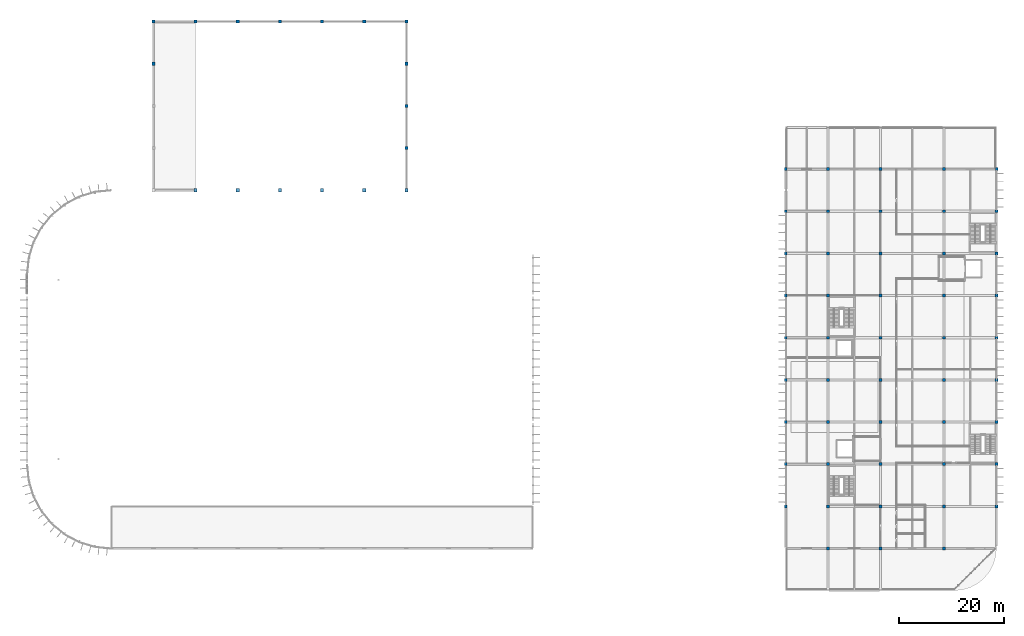
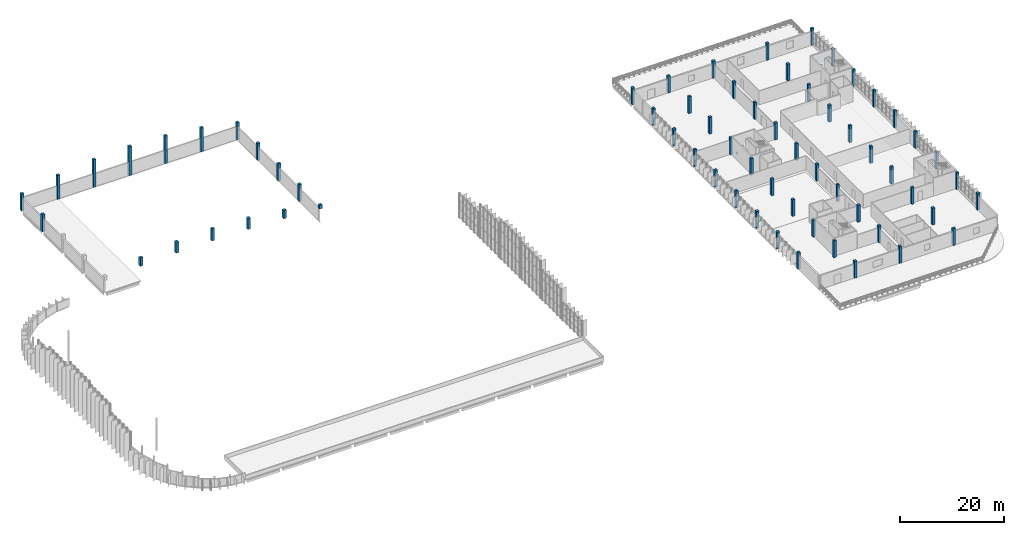
# One storey, part 3 of 38: 65 columns.
"""IFC4 building model written with IfcOpenShell, lengths in metres."""

from ifc_helpers import new_model, si_unit, direction, frame, origin, origin_2d, place, context, subcontext, project, spatial, rectangle, extrude, material, material_profile, profile_set, type_object, element, save


model = new_model("IFC4")

# Units and contexts
model_context = context("Model", 3, precision=1e-05, world=origin(), true_north=direction((0.0, 1.0)))
body_context = subcontext(model_context, "Body", "Model", "MODEL_VIEW")
ifc_project = project(units=[si_unit("LENGTHUNIT", "METRE"), si_unit("AREAUNIT", "SQUARE_METRE"), si_unit("VOLUMEUNIT", "CUBIC_METRE"), si_unit("PLANEANGLEUNIT", "RADIAN"), si_unit("MASSUNIT", "GRAM", prefix="KILO")], contexts=[model_context])

# Site, building, storey
site_placement = place(None, origin())
site = spatial("IfcSite", under=ifc_project, at=site_placement, CompositionType="ELEMENT")
building_placement = place(site_placement, origin())
building = spatial("IfcBuilding", under=site, at=building_placement, Name="Drelvana Railside Aquatics Centre", CompositionType="ELEMENT")
storey_placement = place(building_placement, frame((0.0, 0.0, 14.39990234375)))
storey = spatial("IfcBuildingStorey", under=building, at=storey_placement, Name="L03", CompositionType="ELEMENT", Elevation=14.39990234375)

# Columns
ifc_material = material(Name="Concrete C40/50", Category="concrete")
ifc_material_profile_1 = material_profile(ifc_material, rectangle(XDim=0.550048828125, YDim=0.550048828125, at=origin_2d()), Name="RC 550x550")
ifc_profile_set_1 = profile_set([ifc_material_profile_1], Name="Concrete C40/50")
column_type_1 = type_object("IfcColumnType", Name="STR-COL-RC-550x550", PredefinedType="COLUMN", material=ifc_profile_set_1)
for number, where, z_axis, x_axis, name in (
    (1, (152.0, 16.0, 0.0), (0.0, 0.0, 1.0), (1.0, 0.0, 0.0), "Column C-03 (L03)"),
    (2, (162.0, 16.0, 0.0), (0.0, 0.0, 1.0), (1.0, 0.0, 0.0), "Column C-03 (L03)"),
    (3, (174.0, 16.0, 0.0), (0.0, 0.0, 1.0), (1.0, 0.0, 0.0), "Column C-03 (L03)"),
):
    element("IfcColumn", number, at=place(storey_placement, frame(where, z_axis=z_axis, x_axis=x_axis)), inside=storey, type_object=column_type_1, Name=name, PredefinedType="COLUMN", context=body_context, shape_type="SweptSolid", body=[
        extrude(rectangle(XDim=0.550048828125, YDim=0.550048828125, at=origin_2d()), origin(), (0.0, 0.0, 1.0), 3.985107421875),
    ])
for number, where, z_axis, x_axis, name in (
    (4, (152.0, 24.0, 0.0), (0.0, 0.0, 1.0), (1.0, 0.0, 0.0), "Column C-03 (L03)"),
    (5, (162.0, 24.0, 0.0), (0.0, 0.0, 1.0), (1.0, 0.0, 0.0), "Column C-03 (L03)"),
    (6, (174.0, 24.0, 0.0), (0.0, 0.0, 1.0), (1.0, 0.0, 0.0), "Column C-03 (L03)"),
    (7, (184.0, 24.0, 0.0), (0.0, 0.0, 1.0), (1.0, 0.0, 0.0), "Column C-03 (L03)"),
):
    element("IfcColumn", number, at=place(storey_placement, frame(where, z_axis=z_axis, x_axis=x_axis)), inside=storey, type_object=column_type_1, Name=name, PredefinedType="COLUMN", context=body_context, shape_type="SweptSolid", body=[
        extrude(rectangle(XDim=0.550048828125, YDim=0.550048828125, at=origin_2d()), origin(), (0.0, 0.0, 1.0), 3.97509765625),
    ])
column_1_placement = place(storey_placement, frame((144.0, 32.0, 0.0), z_axis=(0.0, 0.0, 1.0), x_axis=(1.0, 0.0, 0.0)))
element("IfcColumn", 8, at=column_1_placement, inside=storey, type_object=column_type_1, Name="Column C-03 (L03)", PredefinedType="COLUMN", context=body_context, shape_type="SweptSolid", body=[
    extrude(rectangle(XDim=0.550048828125, YDim=0.550048828125, at=origin_2d()), origin(), (0.0, 0.0, 1.0), 3.989990234375),
])
for number, where, z_axis, x_axis, name in (
    (9, (152.0, 32.0, 0.0), (0.0, 0.0, 1.0), (1.0, 0.0, 0.0), "Column C-03 (L03)"),
    (10, (162.0, 32.0, 0.0), (0.0, 0.0, 1.0), (1.0, 0.0, 0.0), "Column C-03 (L03)"),
    (11, (174.0, 32.0, 0.0), (0.0, 0.0, 1.0), (1.0, 0.0, 0.0), "Column C-03 (L03)"),
    (12, (184.0, 32.0, 0.0), (0.0, 0.0, 1.0), (1.0, 0.0, 0.0), "Column C-03 (L03)"),
):
    element("IfcColumn", number, at=place(storey_placement, frame(where, z_axis=z_axis, x_axis=x_axis)), inside=storey, type_object=column_type_1, Name=name, PredefinedType="COLUMN", context=body_context, shape_type="SweptSolid", body=[
        extrude(rectangle(XDim=0.550048828125, YDim=0.550048828125, at=origin_2d()), origin(), (0.0, 0.0, 1.0), 3.97509765625),
    ])
column_2_placement = place(storey_placement, frame((144.0, 40.0, 0.0), z_axis=(0.0, 0.0, 1.0), x_axis=(1.0, 0.0, 0.0)))
element("IfcColumn", 13, at=column_2_placement, inside=storey, type_object=column_type_1, Name="Column C-03 (L03)", PredefinedType="COLUMN", context=body_context, shape_type="SweptSolid", body=[
    extrude(rectangle(XDim=0.550048828125, YDim=0.550048828125, at=origin_2d()), origin(), (0.0, 0.0, 1.0), 3.989990234375),
])
for number, where, z_axis, x_axis, name in (
    (14, (152.0, 40.0, 0.0), (0.0, 0.0, 1.0), (1.0, 0.0, 0.0), "Column C-03 (L03)"),
    (15, (162.0, 40.0, 0.0), (0.0, 0.0, 1.0), (1.0, 0.0, 0.0), "Column C-03 (L03)"),
    (16, (174.0, 40.0, 0.0), (0.0, 0.0, 1.0), (1.0, 0.0, 0.0), "Column C-03 (L03)"),
    (17, (184.0, 40.0, 0.0), (0.0, 0.0, 1.0), (1.0, 0.0, 0.0), "Column C-03 (L03)"),
):
    element("IfcColumn", number, at=place(storey_placement, frame(where, z_axis=z_axis, x_axis=x_axis)), inside=storey, type_object=column_type_1, Name=name, PredefinedType="COLUMN", context=body_context, shape_type="SweptSolid", body=[
        extrude(rectangle(XDim=0.550048828125, YDim=0.550048828125, at=origin_2d()), origin(), (0.0, 0.0, 1.0), 3.97509765625),
    ])
column_3_placement = place(storey_placement, frame((144.0, 48.0, 0.0), z_axis=(0.0, 0.0, 1.0), x_axis=(1.0, 0.0, 0.0)))
element("IfcColumn", 18, at=column_3_placement, inside=storey, type_object=column_type_1, Name="Column C-03 (L03)", PredefinedType="COLUMN", context=body_context, shape_type="SweptSolid", body=[
    extrude(rectangle(XDim=0.550048828125, YDim=0.550048828125, at=origin_2d()), origin(), (0.0, 0.0, 1.0), 3.989990234375),
])
for number, where, z_axis, x_axis, name in (
    (19, (152.0, 48.0, 0.0), (0.0, 0.0, 1.0), (1.0, 0.0, 0.0), "Column C-03 (L03)"),
    (20, (162.0, 48.0, 0.0), (0.0, 0.0, 1.0), (1.0, 0.0, 0.0), "Column C-03 (L03)"),
    (21, (174.0, 48.0, 0.0), (0.0, 0.0, 1.0), (1.0, 0.0, 0.0), "Column C-03 (L03)"),
    (22, (184.0, 48.0, 0.0), (0.0, 0.0, 1.0), (1.0, 0.0, 0.0), "Column C-03 (L03)"),
):
    element("IfcColumn", number, at=place(storey_placement, frame(where, z_axis=z_axis, x_axis=x_axis)), inside=storey, type_object=column_type_1, Name=name, PredefinedType="COLUMN", context=body_context, shape_type="SweptSolid", body=[
        extrude(rectangle(XDim=0.550048828125, YDim=0.550048828125, at=origin_2d()), origin(), (0.0, 0.0, 1.0), 3.97509765625),
    ])
column_4_placement = place(storey_placement, frame((144.0, 56.0, 0.0), z_axis=(0.0, 0.0, 1.0), x_axis=(1.0, 0.0, 0.0)))
element("IfcColumn", 23, at=column_4_placement, inside=storey, type_object=column_type_1, Name="Column C-03 (L03)", PredefinedType="COLUMN", context=body_context, shape_type="SweptSolid", body=[
    extrude(rectangle(XDim=0.550048828125, YDim=0.550048828125, at=origin_2d()), origin(), (0.0, 0.0, 1.0), 3.989990234375),
])
for number, where, z_axis, x_axis, name in (
    (24, (152.0, 56.0, 0.0), (0.0, 0.0, 1.0), (1.0, 0.0, 0.0), "Column C-03 (L03)"),
    (25, (162.0, 56.0, 0.0), (0.0, 0.0, 1.0), (1.0, 0.0, 0.0), "Column C-03 (L03)"),
    (26, (174.0, 56.0, 0.0), (0.0, 0.0, 1.0), (1.0, 0.0, 0.0), "Column C-03 (L03)"),
    (27, (184.0, 56.0, 0.0), (0.0, 0.0, 1.0), (1.0, 0.0, 0.0), "Column C-03 (L03)"),
):
    element("IfcColumn", number, at=place(storey_placement, frame(where, z_axis=z_axis, x_axis=x_axis)), inside=storey, type_object=column_type_1, Name=name, PredefinedType="COLUMN", context=body_context, shape_type="SweptSolid", body=[
        extrude(rectangle(XDim=0.550048828125, YDim=0.550048828125, at=origin_2d()), origin(), (0.0, 0.0, 1.0), 3.97509765625),
    ])
column_5_placement = place(storey_placement, frame((144.0, 64.0, 0.0), z_axis=(0.0, 0.0, 1.0), x_axis=(1.0, 0.0, 0.0)))
element("IfcColumn", 28, at=column_5_placement, inside=storey, type_object=column_type_1, Name="Column C-03 (L03)", PredefinedType="COLUMN", context=body_context, shape_type="SweptSolid", body=[
    extrude(rectangle(XDim=0.550048828125, YDim=0.550048828125, at=origin_2d()), origin(), (0.0, 0.0, 1.0), 3.989990234375),
])
for number, where, z_axis, x_axis, name in (
    (29, (152.0, 64.0, 0.0), (0.0, 0.0, 1.0), (1.0, 0.0, 0.0), "Column C-03 (L03)"),
    (30, (162.0, 64.0, 0.0), (0.0, 0.0, 1.0), (1.0, 0.0, 0.0), "Column C-03 (L03)"),
    (31, (174.0, 64.0, 0.0), (0.0, 0.0, 1.0), (1.0, 0.0, 0.0), "Column C-03 (L03)"),
    (32, (184.0, 64.0, 0.0), (0.0, 0.0, 1.0), (1.0, 0.0, 0.0), "Column C-03 (L03)"),
):
    element("IfcColumn", number, at=place(storey_placement, frame(where, z_axis=z_axis, x_axis=x_axis)), inside=storey, type_object=column_type_1, Name=name, PredefinedType="COLUMN", context=body_context, shape_type="SweptSolid", body=[
        extrude(rectangle(XDim=0.550048828125, YDim=0.550048828125, at=origin_2d()), origin(), (0.0, 0.0, 1.0), 3.97509765625),
    ])
column_6_placement = place(storey_placement, frame((144.0, 72.0, 0.0), z_axis=(0.0, 0.0, 1.0), x_axis=(1.0, 0.0, 0.0)))
element("IfcColumn", 33, at=column_6_placement, inside=storey, type_object=column_type_1, Name="Column C-03 (L03)", PredefinedType="COLUMN", context=body_context, shape_type="SweptSolid", body=[
    extrude(rectangle(XDim=0.550048828125, YDim=0.550048828125, at=origin_2d()), origin(), (0.0, 0.0, 1.0), 3.989990234375),
])
for number, where, z_axis, x_axis, name in (
    (34, (152.0, 72.0, 0.0), (0.0, 0.0, 1.0), (1.0, 0.0, 0.0), "Column C-03 (L03)"),
    (35, (162.0, 72.0, 0.0), (0.0, 0.0, 1.0), (1.0, 0.0, 0.0), "Column C-03 (L03)"),
    (36, (174.0, 72.0, 0.0), (0.0, 0.0, 1.0), (1.0, 0.0, 0.0), "Column C-03 (L03)"),
    (37, (184.0, 72.0, 0.0), (0.0, 0.0, 1.0), (1.0, 0.0, 0.0), "Column C-03 (L03)"),
):
    element("IfcColumn", number, at=place(storey_placement, frame(where, z_axis=z_axis, x_axis=x_axis)), inside=storey, type_object=column_type_1, Name=name, PredefinedType="COLUMN", context=body_context, shape_type="SweptSolid", body=[
        extrude(rectangle(XDim=0.550048828125, YDim=0.550048828125, at=origin_2d()), origin(), (0.0, 0.0, 1.0), 3.97509765625),
    ])
column_7_placement = place(storey_placement, frame((144.0, 80.0, 0.0), z_axis=(0.0, 0.0, 1.0), x_axis=(1.0, 0.0, 0.0)))
element("IfcColumn", 38, at=column_7_placement, inside=storey, type_object=column_type_1, Name="Column C-03 (L03)", PredefinedType="COLUMN", context=body_context, shape_type="SweptSolid", body=[
    extrude(rectangle(XDim=0.550048828125, YDim=0.550048828125, at=origin_2d()), origin(), (0.0, 0.0, 1.0), 3.989990234375),
])
for number, where, z_axis, x_axis, name in (
    (39, (152.0, 80.0, 0.0), (0.0, 0.0, 1.0), (1.0, 0.0, 0.0), "Column C-03 (L03)"),
    (40, (162.0, 80.0, 0.0), (0.0, 0.0, 1.0), (1.0, 0.0, 0.0), "Column C-03 (L03)"),
    (41, (174.0, 80.0, 0.0), (0.0, 0.0, 1.0), (1.0, 0.0, 0.0), "Column C-03 (L03)"),
    (42, (184.0, 80.0, 0.0), (0.0, 0.0, 1.0), (1.0, 0.0, 0.0), "Column C-03 (L03)"),
):
    element("IfcColumn", number, at=place(storey_placement, frame(where, z_axis=z_axis, x_axis=x_axis)), inside=storey, type_object=column_type_1, Name=name, PredefinedType="COLUMN", context=body_context, shape_type="SweptSolid", body=[
        extrude(rectangle(XDim=0.550048828125, YDim=0.550048828125, at=origin_2d()), origin(), (0.0, 0.0, 1.0), 3.97509765625),
    ])
for number, where, z_axis, x_axis, name in (
    (43, (144.0, 88.0, 0.0), (0.0, 0.0, 1.0), (1.0, 0.0, 0.0), "Column C-03 (L03)"),
    (44, (152.0, 88.0, 0.0), (0.0, 0.0, 1.0), (1.0, 0.0, 0.0), "Column C-03 (L03)"),
    (45, (162.0, 88.0, 0.0), (0.0, 0.0, 1.0), (1.0, 0.0, 0.0), "Column C-03 (L03)"),
    (46, (174.0, 88.0, 0.0), (0.0, 0.0, 1.0), (1.0, 0.0, 0.0), "Column C-03 (L03)"),
    (47, (184.0, 88.0, 0.0), (0.0, 0.0, 1.0), (1.0, 0.0, 0.0), "Column C-03 (L03)"),
):
    element("IfcColumn", number, at=place(storey_placement, frame(where, z_axis=z_axis, x_axis=x_axis)), inside=storey, type_object=column_type_1, Name=name, PredefinedType="COLUMN", context=body_context, shape_type="SweptSolid", body=[
        extrude(rectangle(XDim=0.550048828125, YDim=0.550048828125, at=origin_2d()), origin(), (0.0, 0.0, 1.0), 3.985107421875),
    ])
column_8_placement = place(storey_placement, frame((144.0, 24.0, 0.0), z_axis=(0.0, 0.0, 1.0), x_axis=(1.0, 0.0, 0.0)))
element("IfcColumn", 48, at=column_8_placement, inside=storey, type_object=column_type_1, Name="Column C-03 (L03)", PredefinedType="COLUMN", context=body_context, shape_type="SweptSolid", body=[
    extrude(rectangle(XDim=0.550048828125, YDim=0.550048828125, at=origin_2d()), origin(), (0.0, 0.0, 1.0), 3.989990234375),
])
ifc_material_profile_2 = material_profile(ifc_material, rectangle(XDim=0.60009765625, YDim=0.60009765625, at=origin_2d()), Name="RC 600x600")
ifc_profile_set_2 = profile_set([ifc_material_profile_2], Name="Concrete C40/50")
column_type_2 = type_object("IfcColumnType", Name="STR-COL-RC-600x600", PredefinedType="COLUMN", material=ifc_profile_set_2)
column_9_placement = place(storey_placement, frame((24.0, 116.0, 0.0), z_axis=(0.0, 0.0, 1.0), x_axis=(1.0, 0.0, 0.0)))
element("IfcColumn", 49, at=column_9_placement, inside=storey, type_object=column_type_2, Name="Column C-04 (L03)", PredefinedType="COLUMN", context=body_context, shape_type="SweptSolid", body=[
    extrude(rectangle(XDim=0.60009765625, YDim=0.60009765625, at=origin_2d()), origin(), (0.0, 0.0, 1.0), 4.0400390625),
])
column_10_placement = place(storey_placement, frame((32.0, 116.0, 0.0), z_axis=(0.0, 0.0, 1.0), x_axis=(1.0, 0.0, 0.0)))
element("IfcColumn", 50, at=column_10_placement, inside=storey, type_object=column_type_2, Name="Column C-04 (L03)", PredefinedType="COLUMN", context=body_context, shape_type="SweptSolid", body=[
    extrude(rectangle(XDim=0.60009765625, YDim=0.60009765625, at=origin_2d()), origin(), (0.0, 0.0, 1.0), 5.595703125),
])
column_11_placement = place(storey_placement, frame((40.0, 116.0, 0.0), z_axis=(0.0, 0.0, 1.0), x_axis=(1.0, 0.0, 0.0)))
element("IfcColumn", 51, at=column_11_placement, inside=storey, type_object=column_type_2, Name="Column C-04 (L03)", PredefinedType="COLUMN", context=body_context, shape_type="SweptSolid", body=[
    extrude(rectangle(XDim=0.60009765625, YDim=0.60009765625, at=origin_2d()), origin(), (0.0, 0.0, 1.0), 6.529052734375),
])
column_12_placement = place(storey_placement, frame((48.0, 116.0, 0.0), z_axis=(0.0, 0.0, 1.0), x_axis=(1.0, 0.0, 0.0)))
element("IfcColumn", 52, at=column_12_placement, inside=storey, type_object=column_type_2, Name="Column C-04 (L03)", PredefinedType="COLUMN", context=body_context, shape_type="SweptSolid", body=[
    extrude(rectangle(XDim=0.60009765625, YDim=0.60009765625, at=origin_2d()), origin(), (0.0, 0.0, 1.0), 6.840087890625),
])
column_13_placement = place(storey_placement, frame((56.0, 116.0, 0.0), z_axis=(0.0, 0.0, 1.0), x_axis=(1.0, 0.0, 0.0)))
element("IfcColumn", 53, at=column_13_placement, inside=storey, type_object=column_type_2, Name="Column C-04 (L03)", PredefinedType="COLUMN", context=body_context, shape_type="SweptSolid", body=[
    extrude(rectangle(XDim=0.60009765625, YDim=0.60009765625, at=origin_2d()), origin(), (0.0, 0.0, 1.0), 6.529052734375),
])
column_14_placement = place(storey_placement, frame((64.0, 116.0, 0.0), z_axis=(0.0, 0.0, 1.0), x_axis=(1.0, 0.0, 0.0)))
element("IfcColumn", 54, at=column_14_placement, inside=storey, type_object=column_type_2, Name="Column C-04 (L03)", PredefinedType="COLUMN", context=body_context, shape_type="SweptSolid", body=[
    extrude(rectangle(XDim=0.60009765625, YDim=0.60009765625, at=origin_2d()), origin(), (0.0, 0.0, 1.0), 5.595703125),
])
for number, where, z_axis, x_axis, name in (
    (55, (72.0, 116.0, 0.0), (0.0, 0.0, 1.0), (1.0, 0.0, 0.0), "Column C-04 (L03)"),
    (56, (72.0, 92.0, 0.0), (0.0, 0.0, 1.0), (1.0, 0.0, 0.0), "Column C-04 (L03)"),
    (57, (72.0, 100.0, 0.0), (0.0, 0.0, 1.0), (1.0, 0.0, 0.0), "Column C-04 (L03)"),
    (58, (24.0, 108.0, 0.0), (0.0, 0.0, 1.0), (1.0, 0.0, 0.0), "Column C-04 (L03)"),
    (59, (72.0, 108.0, 0.0), (0.0, 0.0, 1.0), (1.0, 0.0, 0.0), "Column C-04 (L03)"),
):
    element("IfcColumn", number, at=place(storey_placement, frame(where, z_axis=z_axis, x_axis=x_axis)), inside=storey, type_object=column_type_2, Name=name, PredefinedType="COLUMN", context=body_context, shape_type="SweptSolid", body=[
        extrude(rectangle(XDim=0.60009765625, YDim=0.60009765625, at=origin_2d()), origin(), (0.0, 0.0, 1.0), 4.0400390625),
    ])
column_15_placement = place(storey_placement, frame((32.0, 84.0, 3.625), z_axis=(0.0, 0.0, 1.0), x_axis=(1.0, 0.0, 0.0)))
element("IfcColumn", 60, at=column_15_placement, inside=storey, type_object=column_type_2, Name="Diving Hall south vault pier 32", PredefinedType="COLUMN", context=body_context, shape_type="SweptSolid", body=[
    extrude(rectangle(XDim=0.60009765625, YDim=0.60009765625, at=origin_2d()), origin(), (0.0, 0.0, 1.0), 1.970703125),
])
column_16_placement = place(storey_placement, frame((40.0, 84.0, 3.925048828125), z_axis=(0.0, 0.0, 1.0), x_axis=(1.0, 0.0, 0.0)))
element("IfcColumn", 61, at=column_16_placement, inside=storey, type_object=column_type_2, Name="Diving Hall south vault pier 40", PredefinedType="COLUMN", context=body_context, shape_type="SweptSolid", body=[
    extrude(rectangle(XDim=0.60009765625, YDim=0.60009765625, at=origin_2d()), origin(), (0.0, 0.0, 1.0), 2.60400390625),
])
column_17_placement = place(storey_placement, frame((48.0, 84.0, 4.025146484375), z_axis=(0.0, 0.0, 1.0), x_axis=(1.0, 0.0, 0.0)))
element("IfcColumn", 62, at=column_17_placement, inside=storey, type_object=column_type_2, Name="Diving Hall south vault pier 48", PredefinedType="COLUMN", context=body_context, shape_type="SweptSolid", body=[
    extrude(rectangle(XDim=0.60009765625, YDim=0.60009765625, at=origin_2d()), origin(), (0.0, 0.0, 1.0), 2.81494140625),
])
column_18_placement = place(storey_placement, frame((56.0, 84.0, 3.925048828125), z_axis=(0.0, 0.0, 1.0), x_axis=(1.0, 0.0, 0.0)))
element("IfcColumn", 63, at=column_18_placement, inside=storey, type_object=column_type_2, Name="Diving Hall south vault pier 56", PredefinedType="COLUMN", context=body_context, shape_type="SweptSolid", body=[
    extrude(rectangle(XDim=0.60009765625, YDim=0.60009765625, at=origin_2d()), origin(), (0.0, 0.0, 1.0), 2.60400390625),
])
column_19_placement = place(storey_placement, frame((64.0, 84.0, 3.625), z_axis=(0.0, 0.0, 1.0), x_axis=(1.0, 0.0, 0.0)))
element("IfcColumn", 64, at=column_19_placement, inside=storey, type_object=column_type_2, Name="Diving Hall south vault pier 64", PredefinedType="COLUMN", context=body_context, shape_type="SweptSolid", body=[
    extrude(rectangle(XDim=0.60009765625, YDim=0.60009765625, at=origin_2d()), origin(), (0.0, 0.0, 1.0), 1.970703125),
])
column_20_placement = place(storey_placement, frame((72.0, 84.0, 3.125), z_axis=(0.0, 0.0, 1.0), x_axis=(1.0, 0.0, 0.0)))
element("IfcColumn", 65, at=column_20_placement, inside=storey, type_object=column_type_2, Name="Diving Hall south vault pier 72", PredefinedType="COLUMN", context=body_context, shape_type="SweptSolid", body=[
    extrude(rectangle(XDim=0.60009765625, YDim=0.60009765625, at=origin_2d()), origin(), (0.0, 0.0, 1.0), 0.9150390625),
])

save(model, "model.ifc")
